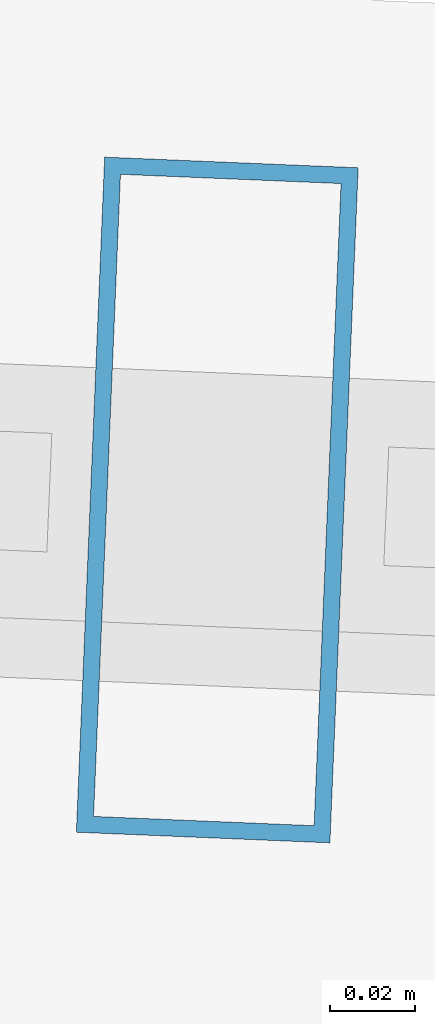
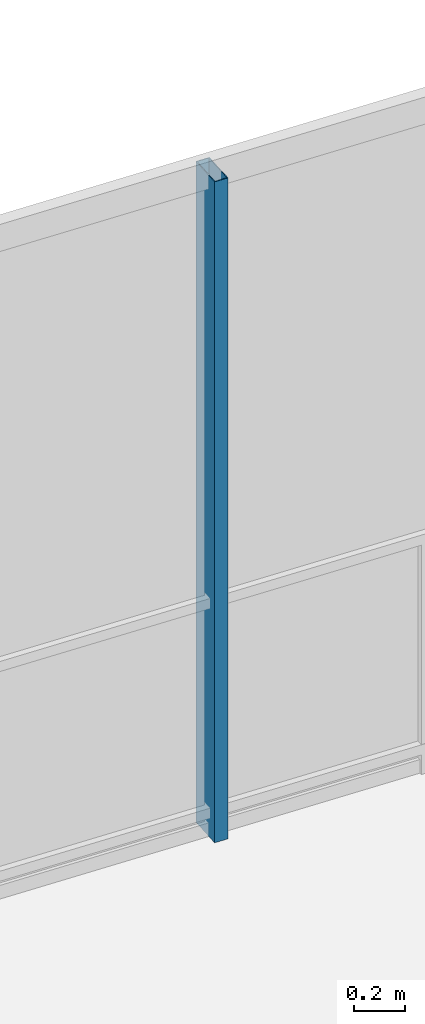
# One storey, part 20 of 30: 1 member, 1 element without a shape of its own.
"""IFC4 building model written with IfcOpenShell, lengths in metres."""

import ifcopenshell
import ifcopenshell.guid

model = None  # the IFC model being written
_history = None  # IfcOwnerHistory: only IFC2X3 demands one
_inside = {}  # id of a spatial element -> (the spatial element, [elements in it])
_under = {}  # id of a project, library or spatial element -> (it, [spatial elements below it])
_declared = {}  # id of a project -> (the project, [libraries it declares])
_typed = {}  # id of a type object -> (the type object, [elements of that type])
_made_of = {}  # id of a material, layer set ... -> (it, [elements and type objects made of it])


def new_model(schema):
    """Start an empty IFC model of exactly this schema.

    Asked for "IFC4X3", IfcOpenShell would pick the latest addendum, in which some entities
    have other attributes; the version numbers below select the first issue.
    IFC2X3 requires an IfcOwnerHistory on every rooted entity: one is made here for all.
    """
    global model, _history
    if schema == "IFC4X3":
        model = ifcopenshell.file(schema_version=(4, 3, 0, 0))
    else:
        model = ifcopenshell.file(schema=schema)
    _inside.clear()
    _under.clear()
    _declared.clear()
    _typed.clear()
    _made_of.clear()
    _history = None
    if model.schema == "IFC2X3":
        org = make("IfcOrganization", Name="unknown")
        user = make(
            "IfcPersonAndOrganization",
            ThePerson=make("IfcPerson", FamilyName="unknown"),
            TheOrganization=org,
        )
        app = make(
            "IfcApplication",
            ApplicationDeveloper=org,
            Version="unknown",
            ApplicationFullName="unknown",
            ApplicationIdentifier="unknown",
        )
        _history = make(
            "IfcOwnerHistory",
            OwningUser=user,
            OwningApplication=app,
            ChangeAction="ADDED",
            CreationDate=0,
        )
    return model


def make(cls, **values):
    """One entity of the class cls with the attributes given. An attribute that is None is left unset."""
    return model.create_entity(
        cls, **{name: value for name, value in values.items() if value is not None}
    )


def rooted(cls, **values):
    """An entity with a GlobalId (a new one), such as an element, a storey or a relation."""
    return make(cls, GlobalId=ifcopenshell.guid.new(), OwnerHistory=_history, **values)


def si_unit(unit_type, name, prefix=None):
    """IfcSIUnit, for example si_unit("LENGTHUNIT", "METRE", prefix="MILLI")."""
    return make("IfcSIUnit", UnitType=unit_type, Prefix=prefix, Name=name)


def assignment(units):
    """IfcUnitAssignment: the units of a project."""
    return None if units is None else make("IfcUnitAssignment", Units=units)


def point(xyz):
    """IfcCartesianPoint."""
    return None if xyz is None else make("IfcCartesianPoint", Coordinates=xyz)


def direction(xyz):
    """IfcDirection."""
    return None if xyz is None else make("IfcDirection", DirectionRatios=xyz)


def frame(location, z_axis=None, x_axis=None):
    """IfcAxis2Placement3D, a coordinate frame: its origin and axes. An axis left out is left unset."""
    return make(
        "IfcAxis2Placement3D",
        Location=point(location),
        Axis=direction(z_axis),
        RefDirection=direction(x_axis),
    )


def frame_2d(location, x_axis=None):
    """IfcAxis2Placement2D, a coordinate frame in the plane: its origin and x axis."""
    return make(
        "IfcAxis2Placement2D", Location=point(location), RefDirection=direction(x_axis)
    )


def origin():
    """The frame at (0, 0, 0) with its axes left unset."""
    return frame((0.0, 0.0, 0.0))


def origin_2d():
    """The frame at (0, 0) in the plane with its x axis left unset."""
    return frame_2d((0.0, 0.0))


def place(relative_to, where):
    """IfcLocalPlacement: puts the frame where relative to a parent placement (None: the world)."""
    return make(
        "IfcLocalPlacement", PlacementRelTo=relative_to, RelativePlacement=where
    )


def context(
    kind, dimensions, precision=None, world=None, true_north=None, identifier=None
):
    """IfcGeometricRepresentationContext, for example the 3D "Model" context."""
    return make(
        "IfcGeometricRepresentationContext",
        ContextIdentifier=identifier,
        ContextType=kind,
        CoordinateSpaceDimension=dimensions,
        Precision=precision,
        WorldCoordinateSystem=world,
        TrueNorth=true_north,
    )


def subcontext(parent, identifier, kind, view, scale=None):
    """IfcGeometricRepresentationSubContext, for example "Body" below "Model"."""
    return make(
        "IfcGeometricRepresentationSubContext",
        ContextIdentifier=identifier,
        ContextType=kind,
        ParentContext=parent,
        TargetScale=scale,
        TargetView=view,
    )


def project(units=None, contexts=None):
    """IfcProject with its units and contexts."""
    return rooted(
        "IfcProject",
        Name="project",
        RepresentationContexts=contexts,
        UnitsInContext=assignment(units),
    )


def spatial(cls, under=None, at=None, **own):
    """A site, building, storey or space (cls), placed at a placement, below another one or the project."""
    s = rooted(cls, ObjectPlacement=at, **own)
    if under is not None:
        _under.setdefault(under.id(), (under, []))[1].append(s)
    return s


def profile(cls, at=None, kind="AREA", **sizes):
    """A parametric profile (cls). Its sizes go by their IFC names, for example OverallWidth=200.0."""
    return make(cls, ProfileType=kind, Position=at, **sizes)


def hollow_rectangle(**sizes):
    """IfcRectangleHollowProfileDef."""
    return profile("IfcRectangleHollowProfileDef", **sizes)


def extrude(swept, where, along, depth):
    """IfcExtrudedAreaSolid: the profile swept, set in the frame where, extruded along a direction by depth."""
    return make(
        "IfcExtrudedAreaSolid",
        SweptArea=swept,
        Position=where,
        ExtrudedDirection=direction(along),
        Depth=depth,
    )


def shape(context_of_items, identifier, shape_type, items):
    """IfcShapeRepresentation: the items that make up one representation, for example the "Body"."""
    return make(
        "IfcShapeRepresentation",
        ContextOfItems=context_of_items,
        RepresentationIdentifier=identifier,
        RepresentationType=shape_type,
        Items=items,
    )


def material(Name=None, Category=None):
    """IfcMaterial."""
    return make("IfcMaterial", Name=Name, Category=Category)


def layer(
    of_material, thickness, ventilated=None, Name=None, Category=None, Priority=None
):
    """IfcMaterialLayer: one layer of a wall or slab, of a material (None: an air gap)."""
    return make(
        "IfcMaterialLayer",
        Material=of_material,
        LayerThickness=thickness,
        IsVentilated=ventilated,
        Name=Name,
        Category=Category,
        Priority=Priority,
    )


def layer_set(layers, Name=None):
    """IfcMaterialLayerSet."""
    return make("IfcMaterialLayerSet", MaterialLayers=layers, LayerSetName=Name)


def material_profile(
    of_material, cross_section, Name=None, Category=None, Priority=None
):
    """IfcMaterialProfile: a cross section and its material."""
    return make(
        "IfcMaterialProfile",
        Name=Name,
        Material=of_material,
        Profile=cross_section,
        Priority=Priority,
        Category=Category,
    )


def profile_set(profiles, Name=None, composite=None):
    """IfcMaterialProfileSet."""
    return make(
        "IfcMaterialProfileSet",
        Name=Name,
        MaterialProfiles=profiles,
        CompositeProfile=composite,
    )


def made_of(thing, what):
    """Note that an element or type object is made of a material, layer set ...; save() writes the relation."""
    if what is not None:
        _made_of.setdefault(what.id(), (what, []))[1].append(thing)
    return thing


def type_object(cls, material=None, **own):
    """A type object (cls), such as IfcWallType, which elements share."""
    return made_of(rooted(cls, **own), material)


def element(
    cls,
    number,
    at=None,
    inside=None,
    cuts=None,
    type_object=None,
    material=None,
    context=None,
    identifier="Body",
    shape_type=None,
    held_by="IfcProductDefinitionShape",
    body=None,
    shapes=None,
    **own,
):
    """One element of the class cls, such as IfcWall. Its Tag is "e" and its number.

    at: its placement. inside: the storey or other place that contains it. cuts: it is an
    opening in that element (IfcRelVoidsElement). A single representation is given by context,
    identifier, shape_type and body (its items); several are given by shapes. held_by: the class
    of the entity that holds the representations. save() writes the other relations.
    """
    e = rooted(cls, Tag="e%d" % number, ObjectPlacement=at, **own)
    if body is not None:
        shapes = [shape(context, identifier, shape_type, body)]
    if shapes is not None:
        e.Representation = make(held_by, Representations=shapes)
    if inside is not None:
        _inside.setdefault(inside.id(), (inside, []))[1].append(e)
    if cuts is not None:
        rooted(
            "IfcRelVoidsElement", RelatingBuildingElement=cuts, RelatedOpeningElement=e
        )
    if type_object is not None:
        _typed.setdefault(type_object.id(), (type_object, []))[1].append(e)
    return made_of(e, material)


def aggregate(whole, parts):
    """IfcRelAggregates: a whole, such as a stair, and the parts it consists of."""
    return rooted("IfcRelAggregates", RelatingObject=whole, RelatedObjects=parts)


def save(model, path):
    """Write the relations noted so far, then the file.

    IfcRelAggregates (storeys below a building ...), IfcRelContainedInSpatialStructure (elements
    in a storey), IfcRelDefinesByType, IfcRelAssociatesMaterial and IfcRelDeclares: one each for
    every whole, place, type object, material and project.
    """
    for whole, parts in _under.values():
        aggregate(whole, parts)
    for where, things in _inside.values():
        rooted(
            "IfcRelContainedInSpatialStructure",
            RelatedElements=things,
            RelatingStructure=where,
        )
    for kind, things in _typed.values():
        rooted("IfcRelDefinesByType", RelatedObjects=things, RelatingType=kind)
    for what, things in _made_of.values():
        rooted("IfcRelAssociatesMaterial", RelatedObjects=things, RelatingMaterial=what)
    for by, libraries in _declared.values():
        rooted("IfcRelDeclares", RelatingContext=by, RelatedDefinitions=libraries)
    model.write(path)


model = new_model("IFC4")

# Units and contexts
model_context = context("Model", 3, precision=1e-05, world=origin(), true_north=direction((0.0, 1.0)))
body_context = subcontext(model_context, "Body", "Model", "MODEL_VIEW")
ifc_project = project(units=[si_unit("LENGTHUNIT", "METRE"), si_unit("AREAUNIT", "SQUARE_METRE"), si_unit("VOLUMEUNIT", "CUBIC_METRE"), si_unit("PLANEANGLEUNIT", "RADIAN"), si_unit("MASSUNIT", "GRAM", prefix="KILO")], contexts=[model_context])

# Site, building, storey
site_placement = place(None, origin())
site = spatial("IfcSite", under=ifc_project, at=site_placement, CompositionType="ELEMENT")
building_placement = place(site_placement, origin())
building = spatial("IfcBuilding", under=site, at=building_placement, Name="Qarnah Convention Tower", CompositionType="ELEMENT")
storey_placement = place(building_placement, frame((0.0, 0.0, 58.050048828125)))
storey = spatial("IfcBuildingStorey", under=building, at=storey_placement, Name="L14", CompositionType="ELEMENT", Elevation=58.050048828125)

# Curtain wall, member
ifc_material_1 = material(Name="Tempered Low-E dark glass", Category="glass")
ifc_layer = layer(ifc_material_1, 0.16796875)
ifc_layer_set = layer_set([ifc_layer], Name="Tempered Low-E dark glass")
curtain_wall_type = type_object("IfcCurtainWallType", Name="CWS-01", PredefinedType="NOTDEFINED", material=ifc_layer_set)
curtain_wall_placement = place(storey_placement, origin())
curtain_wall = element("IfcCurtainWall", 1, at=curtain_wall_placement, inside=storey, type_object=curtain_wall_type, Name="L14 unitised curtain wall CW-L14-F3", PredefinedType="NOTDEFINED")
ifc_material_2 = material(Name="Black anodised aluminium", Category="aluminium")
ifc_material_profile = material_profile(ifc_material_2, hollow_rectangle(XDim=0.06005859375, YDim=0.159912109375, WallThickness=0.00390625, at=origin_2d()), Name="MUL-60X160")
ifc_profile_set = profile_set([ifc_material_profile], Name="Black anodised aluminium")
member_type = type_object("IfcMemberType", Name="MUL-T1", PredefinedType="MULLION", material=ifc_profile_set)
member_placement = place(storey_placement, frame((42.53271484375, 44.479736328125, 0.0), z_axis=(0.0, 0.0, 1.0), x_axis=(0.999122796479, -0.041876455876, 0.0)))
member = element("IfcMember", 2, at=member_placement, type_object=member_type, Name="CW-L14-F3 mullion 4", PredefinedType="MULLION", context=body_context, shape_type="SweptSolid", body=[
    extrude(hollow_rectangle(XDim=0.06005859375, YDim=0.159912109375, WallThickness=0.00390625, at=origin_2d()), origin(), (0.0, 0.0, 1.0), 3.169921875),
])
aggregate(curtain_wall, [member])

save(model, "model.ifc")
